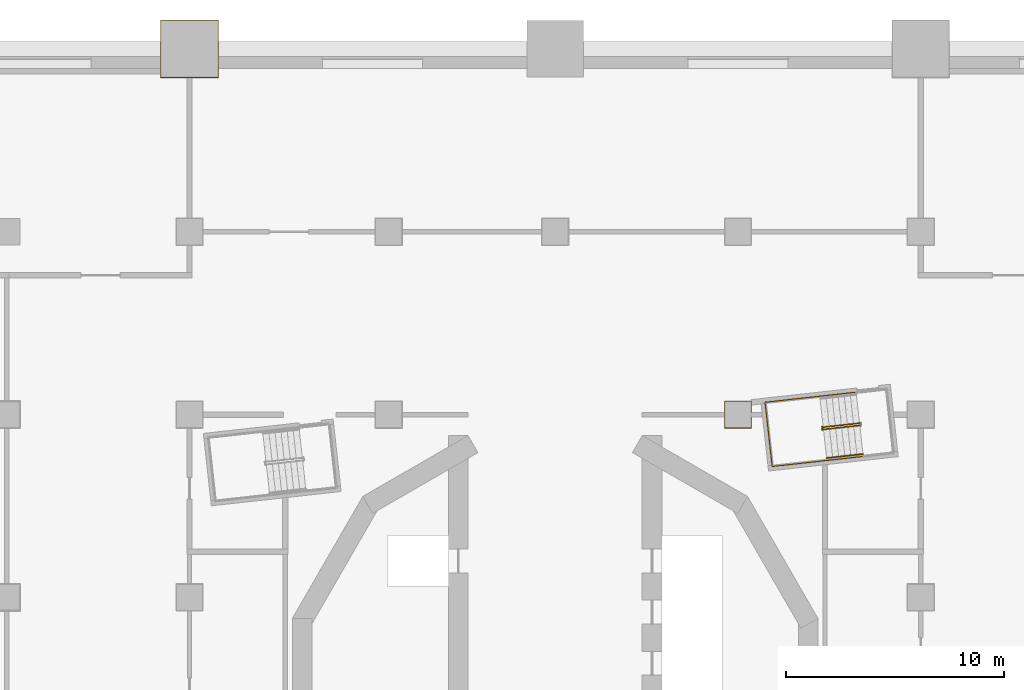
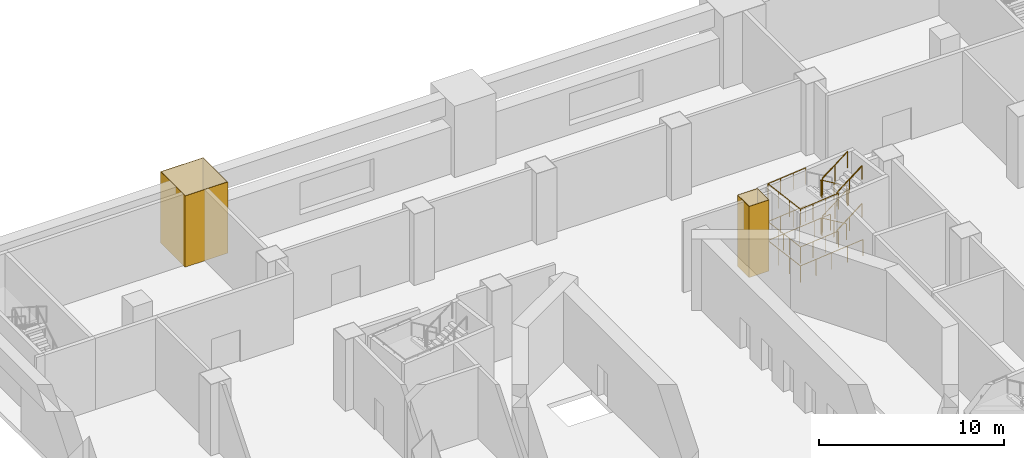
# One storey, part 13 of 17: 9 railings, 2 coverings.
"""IFC4 building model written with IfcOpenShell, lengths in metres."""

from ifc_helpers import new_model, si_unit, direction, frame, origin, origin_2d, place, context, subcontext, project, spatial, polyline, circle, outline, extrude, material, layer, layer_set, type_object, element, save


model = new_model("IFC4")

# Units and contexts
model_context = context("Model", 3, precision=1e-05, world=origin(), true_north=direction((0.0, 1.0)))
body_context = subcontext(model_context, "Body", "Model", "MODEL_VIEW")
ifc_project = project(units=[si_unit("LENGTHUNIT", "METRE"), si_unit("AREAUNIT", "SQUARE_METRE"), si_unit("VOLUMEUNIT", "CUBIC_METRE"), si_unit("PLANEANGLEUNIT", "RADIAN"), si_unit("MASSUNIT", "GRAM", prefix="KILO")], contexts=[model_context])

# Site, building, storey
site_placement = place(None, origin())
site = spatial("IfcSite", under=ifc_project, at=site_placement, CompositionType="ELEMENT")
building_placement = place(site_placement, origin())
building = spatial("IfcBuilding", under=site, at=building_placement, Name="Cantera Rosa Tower", CompositionType="ELEMENT")
storey_placement = place(building_placement, frame((0.0, 0.0, 27.0)))
storey = spatial("IfcBuildingStorey", under=building, at=storey_placement, Name="L04", CompositionType="ELEMENT", Elevation=27.0)

# Coverings
ifc_material_1 = material(Name="Plaster")
ifc_layer = layer(ifc_material_1, 0.030029296875)
ifc_layer_set = layer_set([ifc_layer], Name="Column casing 30")
covering_type = type_object("IfcCoveringType", Name="Column casing 30", PredefinedType="CLADDING", material=ifc_layer_set)
covering_1_placement = place(storey_placement, origin())
element("IfcCovering", 1, at=covering_1_placement, inside=storey, type_object=covering_type, Name="Column casing L04-012", PredefinedType="CLADDING", context=body_context, shape_type="SweptSolid", body=[
    extrude(outline(polyline([(-18.1298828125, 28.070068359375), (-15.469970703125, 28.070068359375), (-15.469970703125, 30.72998046875), (-18.1298828125, 30.72998046875), (-18.1298828125, 28.070068359375)]), holes=[polyline([(-15.5, 30.699951171875), (-18.10009765625, 30.699951171875), (-18.10009765625, 28.10009765625), (-15.5, 28.10009765625), (-15.5, 30.699951171875)])]), origin(), (0.0, 0.0, 1.0), 4.699951171875),
])
covering_2_placement = place(storey_placement, origin())
element("IfcCovering", 2, at=covering_2_placement, inside=storey, type_object=covering_type, Name="Column casing L04-022", PredefinedType="CLADDING", context=body_context, shape_type="SweptSolid", body=[
    extrude(outline(polyline([(7.77001953125, 11.969970703125), (9.030029296875, 11.969970703125), (9.030029296875, 13.22998046875), (7.77001953125, 13.22998046875), (7.77001953125, 11.969970703125)]), holes=[polyline([(9.0, 13.199951171875), (7.800048828125, 13.199951171875), (7.800048828125, 12.0), (9.0, 12.0), (9.0, 13.199951171875)])]), origin(), (0.0, 0.0, 1.0), 4.699951171875),
])

# Railings
ifc_material_2 = material(Name="Steel S355J2 (EN 10025-2)", Category="steel")
railing_type_1 = type_object("IfcRailingType", Name="STAIR GUARD 1100", PredefinedType="GUARDRAIL", material=ifc_material_2)
railing_1_placement = place(storey_placement, frame((13.986083984375, 12.203125, 0.178466796875)))
element("IfcRailing", 3, at=railing_1_placement, inside=storey, type_object=railing_type_1, Name="L04 ST-11 stair guard 1", PredefinedType="GUARDRAIL", context=body_context, shape_type="SweptSolid", body=[
    extrude(circle(Radius=0.02392578125, at=origin_2d()), frame((0.0, 0.0, 1.076171875), z_axis=(-0.837950904326, -0.092996744609, 0.537763784046), x_axis=(0.110303920128, -0.993897904819, 0.0)), (0.0, 0.0, 1.0), 1.99267578125),
    extrude(circle(Radius=0.02392578125, at=origin_2d()), frame((-1.669677734375, -0.185302734375, 2.1474609375), z_axis=(-0.933456941688, 0.358689472963, 0.0), x_axis=(-0.358689472963, -0.933456941688, 0.0)), (0.0, 0.0, 1.0), 0.056396484375),
    extrude(circle(Radius=0.02392578125, at=origin_2d()), frame((-1.722412109375, -0.1650390625, 2.1474609375), z_axis=(0.110789159685, -0.993843932464, 0.0), x_axis=(0.993843932464, 0.110789159685, 0.0)), (0.0, 0.0, 1.0), 0.14990234375),
    extrude(circle(Radius=0.02099609375, at=origin_2d()), origin(), (0.0, 0.0, 1.0), 1.052001953125),
    extrude(circle(Radius=0.02099609375, at=origin_2d()), frame((-0.8349609375, -0.0927734375, 0.53564453125)), (0.0, 0.0, 1.0), 1.052001953125),
    extrude(circle(Radius=0.02099609375, at=origin_2d()), frame((-1.669677734375, -0.185302734375, 1.071533203125)), (0.0, 0.0, 1.0), 1.052001953125),
    extrude(circle(Radius=0.02099609375, at=origin_2d()), frame((-1.722412109375, -0.1650390625, 1.071533203125)), (0.0, 0.0, 1.0), 1.052001953125),
    extrude(circle(Radius=0.02099609375, at=origin_2d()), frame((-1.705810546875, -0.31396484375, 1.071533203125)), (0.0, 0.0, 1.0), 1.052001953125),
])
railing_2_placement = place(storey_placement, frame((12.3271484375, 11.92041015625, 1.428466796875)))
element("IfcRailing", 4, at=railing_2_placement, inside=storey, type_object=railing_type_1, Name="L04 ST-11 stair guard 2", PredefinedType="GUARDRAIL", context=body_context, shape_type="SweptSolid", body=[
    extrude(circle(Radius=0.02392578125, at=origin_2d()), frame((0.0, 0.0, 1.076171875), z_axis=(0.837950904326, 0.092996744609, 0.537763784046), x_axis=(-0.110303920128, 0.993897904819, 0.0)), (0.0, 0.0, 1.0), 1.99267578125),
    extrude(circle(Radius=0.02392578125, at=origin_2d()), frame((1.669677734375, 0.185302734375, 2.1474609375), z_axis=(0.932897555956, -0.360141847183, 0.0), x_axis=(0.360141847183, 0.932897555956, 0.0)), (0.0, 0.0, 1.0), 0.05615234375),
    extrude(circle(Radius=0.02392578125, at=origin_2d()), frame((1.72216796875, 0.1650390625, 2.1474609375), z_axis=(-0.109179471459, 0.994022053584, 0.0), x_axis=(-0.994022053584, -0.109179471459, 0.0)), (0.0, 0.0, 1.0), 0.14990234375),
    extrude(circle(Radius=0.02099609375, at=origin_2d()), origin(), (0.0, 0.0, 1.0), 1.052001953125),
    extrude(circle(Radius=0.02099609375, at=origin_2d()), frame((0.8349609375, 0.0927734375, 0.53564453125)), (0.0, 0.0, 1.0), 1.052001953125),
    extrude(circle(Radius=0.02099609375, at=origin_2d()), frame((1.669677734375, 0.185302734375, 1.071533203125)), (0.0, 0.0, 1.0), 1.052001953125),
    extrude(circle(Radius=0.02099609375, at=origin_2d()), frame((1.72216796875, 0.1650390625, 1.071533203125)), (0.0, 0.0, 1.0), 1.052001953125),
    extrude(circle(Radius=0.02099609375, at=origin_2d()), frame((1.705810546875, 0.31396484375, 1.071533203125)), (0.0, 0.0, 1.0), 1.052001953125),
])
railing_3_placement = place(storey_placement, frame((13.986083984375, 12.203125, 2.678466796875)))
element("IfcRailing", 5, at=railing_3_placement, inside=storey, type_object=railing_type_1, Name="L04 ST-11 stair guard 3", PredefinedType="GUARDRAIL", context=body_context, shape_type="SweptSolid", body=[
    extrude(circle(Radius=0.02392578125, at=origin_2d()), frame((0.0, 0.0, 1.076171875), z_axis=(-0.837950904326, -0.092996744609, 0.537763784046), x_axis=(0.110303920128, -0.993897904819, 0.0)), (0.0, 0.0, 1.0), 1.99267578125),
    extrude(circle(Radius=0.02392578125, at=origin_2d()), frame((-1.669677734375, -0.185302734375, 2.1474609375), z_axis=(-0.933456941688, 0.358689472963, 0.0), x_axis=(-0.358689472963, -0.933456941688, 0.0)), (0.0, 0.0, 1.0), 0.056396484375),
    extrude(circle(Radius=0.02392578125, at=origin_2d()), frame((-1.722412109375, -0.1650390625, 2.1474609375), z_axis=(0.110789159685, -0.993843932464, 0.0), x_axis=(0.993843932464, 0.110789159685, 0.0)), (0.0, 0.0, 1.0), 0.14990234375),
    extrude(circle(Radius=0.02099609375, at=origin_2d()), origin(), (0.0, 0.0, 1.0), 1.052001953125),
    extrude(circle(Radius=0.02099609375, at=origin_2d()), frame((-0.8349609375, -0.0927734375, 0.53564453125)), (0.0, 0.0, 1.0), 1.052001953125),
    extrude(circle(Radius=0.02099609375, at=origin_2d()), frame((-1.669677734375, -0.185302734375, 1.071533203125)), (0.0, 0.0, 1.0), 1.052001953125),
    extrude(circle(Radius=0.02099609375, at=origin_2d()), frame((-1.722412109375, -0.1650390625, 1.071533203125)), (0.0, 0.0, 1.0), 1.052001953125),
    extrude(circle(Radius=0.02099609375, at=origin_2d()), frame((-1.705810546875, -0.31396484375, 1.071533203125)), (0.0, 0.0, 1.0), 1.052001953125),
])
railing_4_placement = place(storey_placement, frame((12.3271484375, 11.92041015625, 3.928466796875)))
element("IfcRailing", 6, at=railing_4_placement, inside=storey, type_object=railing_type_1, Name="L04 ST-11 stair guard 4", PredefinedType="GUARDRAIL", context=body_context, shape_type="SweptSolid", body=[
    extrude(circle(Radius=0.02392578125, at=origin_2d()), frame((0.0, 0.0, 1.076171875), z_axis=(0.837950904326, 0.092996744609, 0.537763784046), x_axis=(-0.110303920128, 0.993897904819, 0.0)), (0.0, 0.0, 1.0), 1.99267578125),
    extrude(circle(Radius=0.02099609375, at=origin_2d()), origin(), (0.0, 0.0, 1.0), 1.052001953125),
    extrude(circle(Radius=0.02099609375, at=origin_2d()), frame((0.8349609375, 0.0927734375, 0.53564453125)), (0.0, 0.0, 1.0), 1.052001953125),
    extrude(circle(Radius=0.02099609375, at=origin_2d()), frame((1.669677734375, 0.185302734375, 1.071533203125)), (0.0, 0.0, 1.0), 1.052001953125),
])
railing_5_placement = place(storey_placement, frame((13.815673828125, 13.629150390625, 0.0)))
element("IfcRailing", 7, at=railing_5_placement, inside=storey, type_object=railing_type_1, Name="L04 ST-11 stair guard 6", PredefinedType="GUARDRAIL", context=body_context, shape_type="SweptSolid", body=[
    extrude(circle(Radius=0.02392578125, at=origin_2d()), frame((0.0, 0.0, 1.076171875), z_axis=(-0.9938957856, -0.110323013767, 0.0), x_axis=(0.110323013767, -0.9938957856, 0.0)), (0.0, 0.0, 1.0), 4.197998046875),
    extrude(circle(Radius=0.02392578125, at=origin_2d()), frame((-4.17236328125, -0.463134765625, 1.076171875), z_axis=(0.110314237986, -0.993896759678, 0.0), x_axis=(0.993896759678, 0.110314237986, 0.0)), (0.0, 0.0, 1.0), 2.969970703125),
    extrude(circle(Radius=0.02392578125, at=origin_2d()), frame((-3.8447265625, -3.4150390625, 1.076171875), z_axis=(0.9938957856, 0.110323013767, 0.0), x_axis=(-0.110323013767, 0.9938957856, 0.0)), (0.0, 0.0, 1.0), 4.197998046875),
    extrude(circle(Radius=0.02099609375, at=origin_2d()), origin(), (0.0, 0.0, 1.0), 1.052001953125),
    extrude(circle(Radius=0.02099609375, at=origin_2d()), frame((-1.04296875, -0.11572265625, 0.0)), (0.0, 0.0, 1.0), 1.052001953125),
    extrude(circle(Radius=0.02099609375, at=origin_2d()), frame((-2.086181640625, -0.2314453125, 0.0)), (0.0, 0.0, 1.0), 1.052001953125),
    extrude(circle(Radius=0.02099609375, at=origin_2d()), frame((-3.12939453125, -0.347412109375, 0.0)), (0.0, 0.0, 1.0), 1.052001953125),
    extrude(circle(Radius=0.02099609375, at=origin_2d()), frame((-4.17236328125, -0.463134765625, 0.0)), (0.0, 0.0, 1.0), 1.052001953125),
    extrude(circle(Radius=0.02099609375, at=origin_2d()), frame((-4.063232421875, -1.447021484375, 0.0)), (0.0, 0.0, 1.0), 1.052001953125),
    extrude(circle(Radius=0.02099609375, at=origin_2d()), frame((-3.953857421875, -2.43115234375, 0.0)), (0.0, 0.0, 1.0), 1.052001953125),
    extrude(circle(Radius=0.02099609375, at=origin_2d()), frame((-3.8447265625, -3.4150390625, 0.0)), (0.0, 0.0, 1.0), 1.052001953125),
    extrude(circle(Radius=0.02099609375, at=origin_2d()), frame((-2.8017578125, -3.29931640625, 0.0)), (0.0, 0.0, 1.0), 1.052001953125),
    extrude(circle(Radius=0.02099609375, at=origin_2d()), frame((-1.758544921875, -3.18359375, 0.0)), (0.0, 0.0, 1.0), 1.052001953125),
    extrude(circle(Radius=0.02099609375, at=origin_2d()), frame((-0.71533203125, -3.067626953125, 0.0)), (0.0, 0.0, 1.0), 1.052001953125),
    extrude(circle(Radius=0.02099609375, at=origin_2d()), frame((0.32763671875, -2.951904296875, 0.0)), (0.0, 0.0, 1.0), 1.052001953125),
])
railing_6_placement = place(storey_placement, frame((12.169921875, 13.4462890625, 1.25)))
element("IfcRailing", 8, at=railing_6_placement, inside=storey, type_object=railing_type_1, Name="L04 ST-11 stair guard 7", PredefinedType="GUARDRAIL", context=body_context, shape_type="SweptSolid", body=[
    extrude(circle(Radius=0.02392578125, at=origin_2d()), frame((0.0, 0.0, 1.076171875), z_axis=(-0.993903628964, -0.110252330278, 0.0), x_axis=(0.110252330278, -0.993903628964, 0.0)), (0.0, 0.0, 1.0), 2.5419921875),
    extrude(circle(Radius=0.02392578125, at=origin_2d()), frame((-2.526611328125, -0.2802734375, 1.076171875), z_axis=(0.110314237986, -0.993896759678, 0.0), x_axis=(0.993896759678, 0.110314237986, 0.0)), (0.0, 0.0, 1.0), 2.969970703125),
    extrude(circle(Radius=0.02392578125, at=origin_2d()), frame((-2.198974609375, -3.232177734375, 1.076171875), z_axis=(0.993903628964, 0.110252330278, 0.0), x_axis=(-0.110252330278, 0.993903628964, 0.0)), (0.0, 0.0, 1.0), 2.5419921875),
    extrude(circle(Radius=0.02099609375, at=origin_2d()), origin(), (0.0, 0.0, 1.0), 1.052001953125),
    extrude(circle(Radius=0.02099609375, at=origin_2d()), frame((-0.84228515625, -0.093505859375, 0.0)), (0.0, 0.0, 1.0), 1.052001953125),
    extrude(circle(Radius=0.02099609375, at=origin_2d()), frame((-1.684326171875, -0.186767578125, 0.0)), (0.0, 0.0, 1.0), 1.052001953125),
    extrude(circle(Radius=0.02099609375, at=origin_2d()), frame((-2.526611328125, -0.2802734375, 0.0)), (0.0, 0.0, 1.0), 1.052001953125),
    extrude(circle(Radius=0.02099609375, at=origin_2d()), frame((-2.41748046875, -1.26416015625, 0.0)), (0.0, 0.0, 1.0), 1.052001953125),
    extrude(circle(Radius=0.02099609375, at=origin_2d()), frame((-2.30810546875, -2.248291015625, 0.0)), (0.0, 0.0, 1.0), 1.052001953125),
    extrude(circle(Radius=0.02099609375, at=origin_2d()), frame((-2.198974609375, -3.232177734375, 0.0)), (0.0, 0.0, 1.0), 1.052001953125),
    extrude(circle(Radius=0.02099609375, at=origin_2d()), frame((-1.356689453125, -3.138671875, 0.0)), (0.0, 0.0, 1.0), 1.052001953125),
    extrude(circle(Radius=0.02099609375, at=origin_2d()), frame((-0.5146484375, -3.04541015625, 0.0)), (0.0, 0.0, 1.0), 1.052001953125),
    extrude(circle(Radius=0.02099609375, at=origin_2d()), frame((0.32763671875, -2.951904296875, 0.0)), (0.0, 0.0, 1.0), 1.052001953125),
])
railing_7_placement = place(storey_placement, frame((12.169921875, 13.4462890625, 3.75)))
element("IfcRailing", 9, at=railing_7_placement, inside=storey, type_object=railing_type_1, Name="L04 ST-11 stair guard 9", PredefinedType="GUARDRAIL", context=body_context, shape_type="SweptSolid", body=[
    extrude(circle(Radius=0.02392578125, at=origin_2d()), frame((0.0, 0.0, 1.076171875), z_axis=(-0.993903628964, -0.110252330278, 0.0), x_axis=(0.110252330278, -0.993903628964, 0.0)), (0.0, 0.0, 1.0), 2.5419921875),
    extrude(circle(Radius=0.02392578125, at=origin_2d()), frame((-2.526611328125, -0.2802734375, 1.076171875), z_axis=(0.110314237986, -0.993896759678, 0.0), x_axis=(0.993896759678, 0.110314237986, 0.0)), (0.0, 0.0, 1.0), 2.969970703125),
    extrude(circle(Radius=0.02392578125, at=origin_2d()), frame((-2.198974609375, -3.232177734375, 1.076171875), z_axis=(0.993903628964, 0.110252330278, 0.0), x_axis=(-0.110252330278, 0.993903628964, 0.0)), (0.0, 0.0, 1.0), 2.5419921875),
    extrude(circle(Radius=0.02099609375, at=origin_2d()), origin(), (0.0, 0.0, 1.0), 1.052001953125),
    extrude(circle(Radius=0.02099609375, at=origin_2d()), frame((-0.84228515625, -0.093505859375, 0.0)), (0.0, 0.0, 1.0), 1.052001953125),
    extrude(circle(Radius=0.02099609375, at=origin_2d()), frame((-1.684326171875, -0.186767578125, 0.0)), (0.0, 0.0, 1.0), 1.052001953125),
    extrude(circle(Radius=0.02099609375, at=origin_2d()), frame((-2.526611328125, -0.2802734375, 0.0)), (0.0, 0.0, 1.0), 1.052001953125),
    extrude(circle(Radius=0.02099609375, at=origin_2d()), frame((-2.41748046875, -1.26416015625, 0.0)), (0.0, 0.0, 1.0), 1.052001953125),
    extrude(circle(Radius=0.02099609375, at=origin_2d()), frame((-2.30810546875, -2.248291015625, 0.0)), (0.0, 0.0, 1.0), 1.052001953125),
    extrude(circle(Radius=0.02099609375, at=origin_2d()), frame((-2.198974609375, -3.232177734375, 0.0)), (0.0, 0.0, 1.0), 1.052001953125),
    extrude(circle(Radius=0.02099609375, at=origin_2d()), frame((-1.356689453125, -3.138671875, 0.0)), (0.0, 0.0, 1.0), 1.052001953125),
    extrude(circle(Radius=0.02099609375, at=origin_2d()), frame((-0.5146484375, -3.04541015625, 0.0)), (0.0, 0.0, 1.0), 1.052001953125),
    extrude(circle(Radius=0.02099609375, at=origin_2d()), frame((0.32763671875, -2.951904296875, 0.0)), (0.0, 0.0, 1.0), 1.052001953125),
])
ifc_material_3 = material(Name="Steel S355J2 (EN 10025-2)", Category="steel")
railing_type_2 = type_object("IfcRailingType", Name="STAIR HANDRAIL 900", PredefinedType="HANDRAIL", material=ifc_material_3)
for number, where, name in (
    (10, (12.473388671875, 10.6025390625, 1.428466796875), "L04 ST-11 stair handrail 2"),
    (11, (12.473388671875, 10.6025390625, 3.928466796875), "L04 ST-11 stair handrail 4"),
):
    element("IfcRailing", number, at=place(storey_placement, frame(where)), inside=storey, type_object=railing_type_2, Name=name, PredefinedType="HANDRAIL", context=body_context, shape_type="SweptSolid", body=[
        extrude(circle(Radius=0.02392578125, at=origin_2d()), frame((0.0, 0.0, 0.8759765625), z_axis=(0.837950904326, 0.092996744609, 0.537763784046), x_axis=(-0.110303920128, 0.993897904819, 0.0)), (0.0, 0.0, 1.0), 1.99267578125),
        extrude(circle(Radius=0.02099609375, at=origin_2d()), origin(), (0.0, 0.0, 1.0), 0.851806640625),
        extrude(circle(Radius=0.02099609375, at=origin_2d()), frame((0.8349609375, 0.0927734375, 0.53564453125)), (0.0, 0.0, 1.0), 0.851806640625),
        extrude(circle(Radius=0.02099609375, at=origin_2d()), frame((1.669677734375, 0.185302734375, 1.071533203125)), (0.0, 0.0, 1.0), 0.851806640625),
    ])

save(model, "model.ifc")
